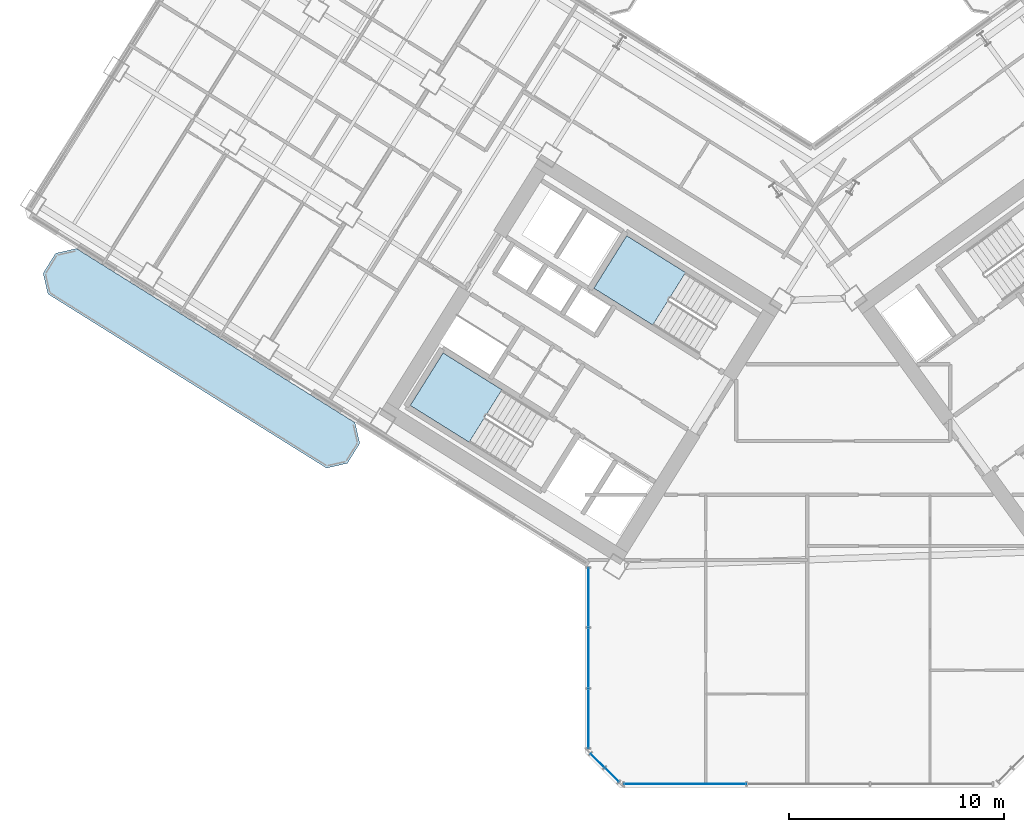
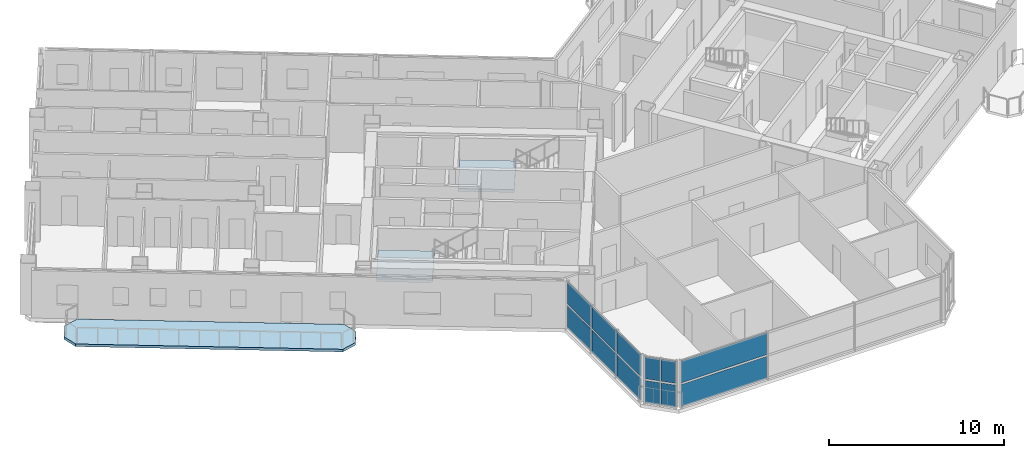
# One storey, part 8 of 22: 12 plates, 3 slabs, 5 elements without a shape of their own.
"""IFC4 building model written with IfcOpenShell, lengths in metres."""

from ifc_helpers import new_model, si_unit, direction, frame, origin, origin_2d, place, context, subcontext, project, spatial, polyline, rectangle, outline, extrude, source, transform, mapped, material, layer, layer_set, type_object, element, aggregate, save


model = new_model("IFC4")

# Units and contexts
model_context = context("Model", 3, precision=1e-05, world=origin(), true_north=direction((0.0, 1.0)))
body_context = subcontext(model_context, "Body", "Model", "MODEL_VIEW")
ifc_project = project(units=[si_unit("LENGTHUNIT", "METRE"), si_unit("AREAUNIT", "SQUARE_METRE"), si_unit("VOLUMEUNIT", "CUBIC_METRE"), si_unit("PLANEANGLEUNIT", "RADIAN"), si_unit("MASSUNIT", "GRAM", prefix="KILO")], contexts=[model_context])

# Site, building, storey
site_placement = place(None, origin())
site = spatial("IfcSite", under=ifc_project, at=site_placement, CompositionType="ELEMENT")
building_placement = place(site_placement, origin())
building = spatial("IfcBuilding", under=site, at=building_placement, Name="Tlacorven Tower", CompositionType="ELEMENT")
storey_placement = place(building_placement, frame((0.0, 0.0, 97.199951171875)))
storey = spatial("IfcBuildingStorey", under=building, at=storey_placement, Name="L24", CompositionType="ELEMENT", Elevation=97.199951171875)

# Slab
ifc_material_1 = material(Name="Precast concrete C45/55", Category="concrete")
ifc_layer_1 = layer(ifc_material_1, 0.179931640625)
ifc_layer_set_1 = layer_set([ifc_layer_1], Name="Precast concrete C45/55")
slab_type_1 = type_object("IfcSlabType", Name="SL-BAL-180", PredefinedType="USERDEFINED", material=ifc_layer_set_1)
slab_1_placement = place(storey_placement, frame((0.0, 0.0, -0.179931640625)))
element("IfcSlab", 1, at=slab_1_placement, inside=storey, type_object=slab_type_1, Name="L24 West Wing Balcony Ribbon OUT", ObjectType="BALCONY SLAB", PredefinedType="USERDEFINED", context=body_context, shape_type="SweptSolid", body=[
    extrude(outline(polyline([(20.88671875, 18.78271484375), (7.91162109375, 26.890625), (6.947021484375, 26.66796875), (6.366943359375, 25.7392578125), (6.589599609375, 24.774658203125), (19.564697265625, 16.6669921875), (20.529296875, 16.8896484375), (21.109375, 17.818115234375), (20.88671875, 18.78271484375)])), origin(), (0.0, 0.0, 1.0), 0.179931640625),
])

# Stair, slab
ifc_material_2 = material(Name="Concrete C40/50", Category="concrete")
stair_type = type_object("IfcStairType", Name="ST-CORE-DLG", PredefinedType="HALF_TURN_STAIR", material=ifc_material_2)
stair_1_placement = place(storey_placement, origin())
stair_1 = element("IfcStair", 2, at=stair_1_placement, inside=storey, type_object=stair_type, Name="L24 Protected Exit Stair West 1", PredefinedType="HALF_TURN_STAIR")
ifc_layer_2 = layer(ifc_material_2, 0.199951171875)
ifc_layer_set_2 = layer_set([ifc_layer_2], Name="Concrete C40/50")
slab_type_2 = type_object("IfcSlabType", Name="SL-LND-200", PredefinedType="LANDING", material=ifc_layer_set_2)
slab_2_placement = place(storey_placement, frame((0.0, 0.0, 1.60009765625)))
slab_2 = element("IfcSlab", 3, at=slab_2_placement, type_object=slab_type_2, Name="ST-W1 landing 1", PredefinedType="LANDING", context=body_context, shape_type="SweptSolid", body=[
    extrude(outline(polyline([(27.728515625, 20.315185546875), (24.9892578125, 22.02685546875), (23.463134765625, 19.58447265625), (26.2021484375, 17.872802734375), (27.728515625, 20.315185546875)])), origin(), (0.0, 0.0, 1.0), 0.199951171875),
])
aggregate(stair_1, [slab_2])

stair_2_placement = place(storey_placement, origin())
stair_2 = element("IfcStair", 4, at=stair_2_placement, inside=storey, type_object=stair_type, Name="L24 Protected Exit Stair West 2", PredefinedType="HALF_TURN_STAIR")
slab_3_placement = place(storey_placement, frame((0.0, 0.0, 1.60009765625)))
slab_3 = element("IfcSlab", 5, at=slab_3_placement, type_object=slab_type_2, Name="ST-W2 landing 1", PredefinedType="LANDING", context=body_context, shape_type="SweptSolid", body=[
    extrude(outline(polyline([(36.280029296875, 25.772705078125), (33.540771484375, 27.484375), (32.0146484375, 25.0419921875), (34.75390625, 23.33056640625), (36.280029296875, 25.772705078125)])), origin(), (0.0, 0.0, 1.0), 0.199951171875),
])
aggregate(stair_2, [slab_3])

# Curtain wall, plates
ifc_material_3 = material(Name="Dark solar low-E double glazing in aluminium frame", Category="aluminium")
curtain_wall_type = type_object("IfcCurtainWallType", Name="CW-TWR-LOW", PredefinedType="USERDEFINED", material=ifc_material_3)
curtain_wall_1_placement = place(storey_placement, origin())
curtain_wall_1 = element("IfcCurtainWall", 6, at=curtain_wall_1_placement, inside=storey, type_object=curtain_wall_type, Name="L24 CW-TWR-LOW Curtain Wall 125", ObjectType="UNITISED CURTAIN WALL", PredefinedType="USERDEFINED")
ifc_material_4 = material(Name="Dark solar double low-E glazing", Category="glass")
ifc_layer_3 = layer(ifc_material_4, 0.031982421875)
ifc_layer_set_3 = layer_set([ifc_layer_3], Name="Dark solar double low-E glazing")
plate_type = type_object("IfcPlateType", Name="CWP-02", PredefinedType="CURTAIN_PANEL", material=ifc_layer_set_3)
shared_shape_1 = source(origin(), body_context, "Body", "SweptSolid", [
    extrude(rectangle(XDim=0.878173828125, YDim=0.031982421875, at=origin_2d()), origin(), (0.0, 0.0, 1.0), 1.5380859375),
])
plate_1_placement = place(storey_placement, frame((32.842041015625, 2.38427734375, 0.06103515625), z_axis=(0.0, 0.0, 1.0), x_axis=(-0.707106781187, 0.707106781187, 0.0)))
plate_1 = element("IfcPlate", 7, at=plate_1_placement, type_object=plate_type, Name="CW-L24-125 Glazing Panel 1", PredefinedType="CURTAIN_PANEL", context=body_context, shape_type="MappedRepresentation", body=[
    mapped(shared_shape_1, transform((0.0, 0.0, 0.0), scale=1.0)),
])
plate_2_placement = place(storey_placement, frame((32.842041015625, 2.38427734375, 1.720947265625), z_axis=(0.0, 0.0, 1.0), x_axis=(-0.707106781187, 0.707106781187, 0.0)))
plate_2 = element("IfcPlate", 8, at=plate_2_placement, type_object=plate_type, Name="CW-L24-125 Glazing Panel 2", PredefinedType="CURTAIN_PANEL", context=body_context, shape_type="MappedRepresentation", body=[
    mapped(shared_shape_1, transform((0.0, 0.0, 0.0), scale=1.0)),
])
plate_3_placement = place(storey_placement, frame((32.184326171875, 3.0419921875, 0.06103515625), z_axis=(0.0, 0.0, 1.0), x_axis=(-0.707106781187, 0.707106781187, 0.0)))
plate_3 = element("IfcPlate", 9, at=plate_3_placement, type_object=plate_type, Name="CW-L24-125 Glazing Panel 3", PredefinedType="CURTAIN_PANEL", context=body_context, shape_type="MappedRepresentation", body=[
    mapped(shared_shape_1, transform((0.0, 0.0, 0.0), scale=1.0)),
])
plate_4_placement = place(storey_placement, frame((32.184326171875, 3.0419921875, 1.720947265625), z_axis=(0.0, 0.0, 1.0), x_axis=(-0.707106781187, 0.707106781187, 0.0)))
plate_4 = element("IfcPlate", 10, at=plate_4_placement, type_object=plate_type, Name="CW-L24-125 Glazing Panel 4", PredefinedType="CURTAIN_PANEL", context=body_context, shape_type="MappedRepresentation", body=[
    mapped(shared_shape_1, transform((0.0, 0.0, 0.0), scale=1.0)),
])
aggregate(curtain_wall_1, [plate_1, plate_2, plate_3, plate_4])

curtain_wall_2_placement = place(storey_placement, origin())
curtain_wall_2 = element("IfcCurtainWall", 11, at=curtain_wall_2_placement, inside=storey, type_object=curtain_wall_type, Name="L24 CW-TWR-LOW Curtain Wall 124", ObjectType="UNITISED CURTAIN WALL", PredefinedType="USERDEFINED")
shared_shape_2 = source(origin(), body_context, "Body", "SweptSolid", [
    extrude(rectangle(XDim=5.668701171875, YDim=0.031982421875, at=origin_2d()), origin(), (0.0, 0.0, 1.0), 1.5380859375),
])
plate_5_placement = place(storey_placement, frame((36.26171875, 1.9599609375, 0.06103515625), z_axis=(0.0, 0.0, 1.0), x_axis=(-1.0, 0.0, 0.0)))
plate_5 = element("IfcPlate", 12, at=plate_5_placement, type_object=plate_type, Name="CW-L24-124 Glazing Panel 5", PredefinedType="CURTAIN_PANEL", context=body_context, shape_type="MappedRepresentation", body=[
    mapped(shared_shape_2, transform((0.0, 0.0, 0.0), scale=1.0)),
])
plate_6_placement = place(storey_placement, frame((36.26171875, 1.9599609375, 1.720947265625), z_axis=(0.0, 0.0, 1.0), x_axis=(-1.0, 0.0, 0.0)))
plate_6 = element("IfcPlate", 13, at=plate_6_placement, type_object=plate_type, Name="CW-L24-124 Glazing Panel 6", PredefinedType="CURTAIN_PANEL", context=body_context, shape_type="MappedRepresentation", body=[
    mapped(shared_shape_2, transform((0.0, 0.0, 0.0), scale=1.0)),
])
aggregate(curtain_wall_2, [plate_5, plate_6])

curtain_wall_3_placement = place(storey_placement, origin())
curtain_wall_3 = element("IfcCurtainWall", 14, at=curtain_wall_3_placement, inside=storey, type_object=curtain_wall_type, Name="L24 CW-TWR-LOW Curtain Wall 126", ObjectType="UNITISED CURTAIN WALL", PredefinedType="USERDEFINED")
shared_shape_3 = source(origin(), body_context, "Body", "SweptSolid", [
    extrude(rectangle(XDim=2.751953125, YDim=0.031982421875, at=origin_2d()), origin(), (0.0, 0.0, 1.0), 1.5380859375),
])
plate_7_placement = place(storey_placement, frame((31.760009765625, 5.003173828125, 0.06103515625), z_axis=(0.0, 0.0, 1.0), x_axis=(0.0, 1.0, 0.0)))
plate_7 = element("IfcPlate", 15, at=plate_7_placement, type_object=plate_type, Name="CW-L24-126 Glazing Panel 1", PredefinedType="CURTAIN_PANEL", context=body_context, shape_type="MappedRepresentation", body=[
    mapped(shared_shape_3, transform((0.0, 0.0, 0.0), scale=1.0)),
])
plate_8_placement = place(storey_placement, frame((31.760009765625, 5.003173828125, 1.720947265625), z_axis=(0.0, 0.0, 1.0), x_axis=(0.0, 1.0, 0.0)))
plate_8 = element("IfcPlate", 16, at=plate_8_placement, type_object=plate_type, Name="CW-L24-126 Glazing Panel 2", PredefinedType="CURTAIN_PANEL", context=body_context, shape_type="MappedRepresentation", body=[
    mapped(shared_shape_3, transform((0.0, 0.0, 0.0), scale=1.0)),
])
plate_9_placement = place(storey_placement, frame((31.760009765625, 10.64599609375, 0.06103515625), z_axis=(0.0, 0.0, 1.0), x_axis=(0.0, 1.0, 0.0)))
plate_9 = element("IfcPlate", 17, at=plate_9_placement, type_object=plate_type, Name="CW-L24-126 Glazing Panel 5", PredefinedType="CURTAIN_PANEL", context=body_context, shape_type="MappedRepresentation", body=[
    mapped(shared_shape_3, transform((0.0, 0.0, 0.0), scale=1.0)),
])
plate_10_placement = place(storey_placement, frame((31.760009765625, 10.64599609375, 1.720947265625), z_axis=(0.0, 0.0, 1.0), x_axis=(0.0, 1.0, 0.0)))
plate_10 = element("IfcPlate", 18, at=plate_10_placement, type_object=plate_type, Name="CW-L24-126 Glazing Panel 6", PredefinedType="CURTAIN_PANEL", context=body_context, shape_type="MappedRepresentation", body=[
    mapped(shared_shape_3, transform((0.0, 0.0, 0.0), scale=1.0)),
])
shared_shape_4 = source(origin(), body_context, "Body", "SweptSolid", [
    extrude(rectangle(XDim=2.786865234375, YDim=0.031982421875, at=origin_2d()), origin(), (0.0, 0.0, 1.0), 1.5380859375),
])
plate_11_placement = place(storey_placement, frame((31.760009765625, 7.82470703125, 0.06103515625), z_axis=(0.0, 0.0, 1.0), x_axis=(0.0, 1.0, 0.0)))
plate_11 = element("IfcPlate", 19, at=plate_11_placement, type_object=plate_type, Name="CW-L24-126 Glazing Panel 3", PredefinedType="CURTAIN_PANEL", context=body_context, shape_type="MappedRepresentation", body=[
    mapped(shared_shape_4, transform((0.0, 0.0, 0.0), scale=1.0)),
])
plate_12_placement = place(storey_placement, frame((31.760009765625, 7.82470703125, 1.720947265625), z_axis=(0.0, 0.0, 1.0), x_axis=(0.0, 1.0, 0.0)))
plate_12 = element("IfcPlate", 20, at=plate_12_placement, type_object=plate_type, Name="CW-L24-126 Glazing Panel 4", PredefinedType="CURTAIN_PANEL", context=body_context, shape_type="MappedRepresentation", body=[
    mapped(shared_shape_4, transform((0.0, 0.0, 0.0), scale=1.0)),
])
aggregate(curtain_wall_3, [plate_7, plate_8, plate_11, plate_12, plate_9, plate_10])

save(model, "model.ifc")
